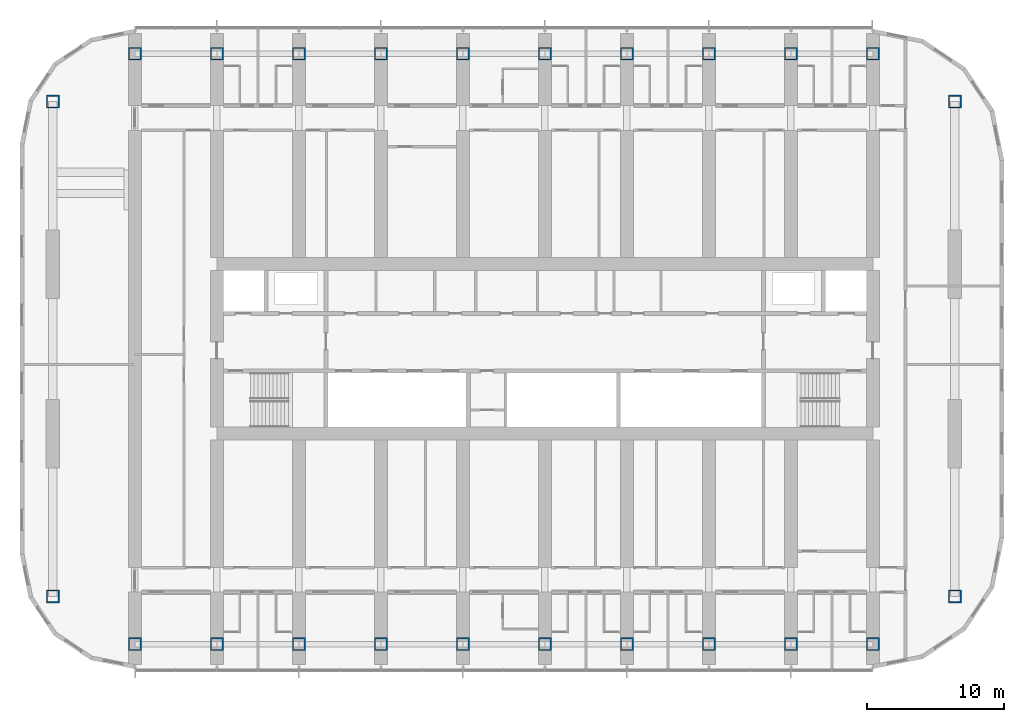
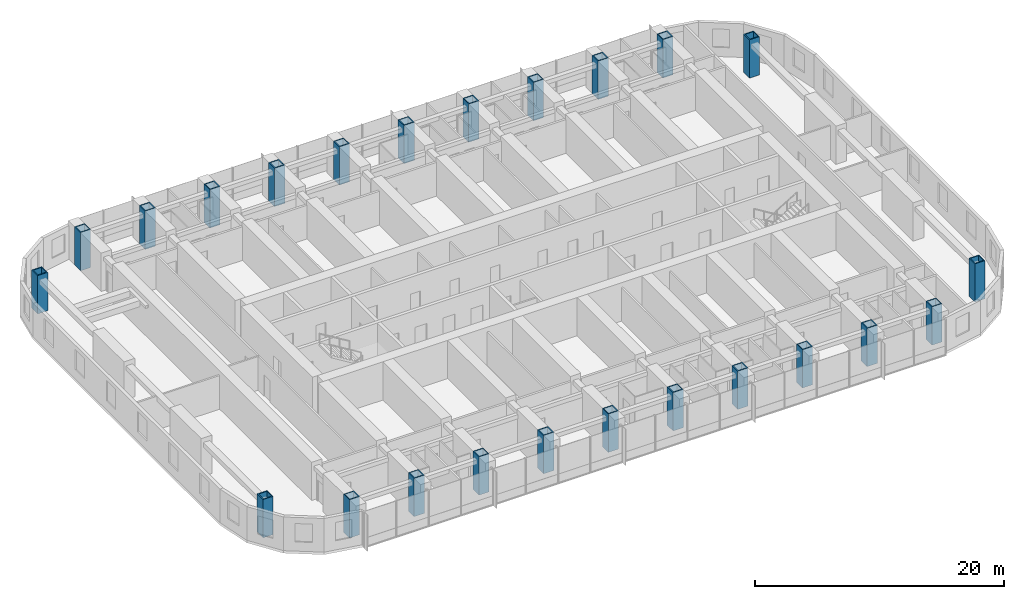
# One storey, part 1 of 21: 24 columns.
"""IFC4 building model written with IfcOpenShell, lengths in metres."""

from ifc_helpers import new_model, si_unit, direction, frame, origin, origin_2d, place, context, subcontext, project, spatial, hollow_rectangle, extrude, material, material_profile, profile_set, type_object, element, save


model = new_model("IFC4")

# Units and contexts
model_context = context("Model", 3, precision=1e-05, world=origin(), true_north=direction((0.0, 1.0)))
body_context = subcontext(model_context, "Body", "Model", "MODEL_VIEW")
ifc_project = project(units=[si_unit("LENGTHUNIT", "METRE"), si_unit("AREAUNIT", "SQUARE_METRE"), si_unit("VOLUMEUNIT", "CUBIC_METRE"), si_unit("PLANEANGLEUNIT", "RADIAN"), si_unit("MASSUNIT", "GRAM", prefix="KILO")], contexts=[model_context])

# Site, building, storey
site_placement = place(None, origin())
site = spatial("IfcSite", under=ifc_project, at=site_placement, CompositionType="ELEMENT")
building_placement = place(site_placement, origin())
building = spatial("IfcBuilding", under=site, at=building_placement, Name="Orbita Commons", CompositionType="ELEMENT")
storey_placement = place(building_placement, frame((0.0, 0.0, 110.64990234375)))
storey = spatial("IfcBuildingStorey", under=building, at=storey_placement, Name="L27", CompositionType="ELEMENT", Elevation=110.64990234375)

# Columns
ifc_material = material(Name="Steel ASTM A572 Gr 50 welded plate", Category="steel")
ifc_material_profile = material_profile(ifc_material, hollow_rectangle(XDim=0.949951171875, YDim=0.949951171875, WallThickness=0.094970703125, at=origin_2d()), Name="BOX 950x950x95")
ifc_profile_set = profile_set([ifc_material_profile], Name="Steel ASTM A572 Gr 50 welded plate")
column_type = type_object("IfcColumnType", Name="Steel column BOX 950x950x95", PredefinedType="COLUMN", material=ifc_profile_set)
for number, where, z_axis, x_axis, name in (
    (1, (12.0, 10.39990234375, 0.0), (0.0, 0.0, 1.0), (1.0, 0.0, 0.0), "Column 3/B L27"),
    (2, (12.0, 53.60009765625, 0.0), (0.0, 0.0, 1.0), (1.0, 0.0, 0.0), "Column 3/E L27"),
    (3, (18.0, 10.39990234375, 0.0), (0.0, 0.0, 1.0), (1.0, 0.0, 0.0), "Column 4/B L27"),
    (4, (18.0, 53.60009765625, 0.0), (0.0, 0.0, 1.0), (1.0, 0.0, 0.0), "Column 4/E L27"),
    (5, (24.0, 10.39990234375, 0.0), (0.0, 0.0, 1.0), (1.0, 0.0, 0.0), "Column 5/B L27"),
    (6, (24.0, 53.60009765625, 0.0), (0.0, 0.0, 1.0), (1.0, 0.0, 0.0), "Column 5/E L27"),
    (7, (30.0, 10.39990234375, 0.0), (0.0, 0.0, 1.0), (1.0, 0.0, 0.0), "Column 6/B L27"),
    (8, (30.0, 53.60009765625, 0.0), (0.0, 0.0, 1.0), (1.0, 0.0, 0.0), "Column 6/E L27"),
    (9, (36.0, 10.39990234375, 0.0), (0.0, 0.0, 1.0), (1.0, 0.0, 0.0), "Column 7/B L27"),
    (10, (36.0, 53.60009765625, 0.0), (0.0, 0.0, 1.0), (1.0, 0.0, 0.0), "Column 7/E L27"),
    (11, (42.0, 10.39990234375, 0.0), (0.0, 0.0, 1.0), (1.0, 0.0, 0.0), "Column 8/B L27"),
    (12, (42.0, 53.60009765625, 0.0), (0.0, 0.0, 1.0), (1.0, 0.0, 0.0), "Column 8/E L27"),
    (13, (48.0, 10.39990234375, 0.0), (0.0, 0.0, 1.0), (1.0, 0.0, 0.0), "Column 9/B L27"),
    (14, (48.0, 53.60009765625, 0.0), (0.0, 0.0, 1.0), (1.0, 0.0, 0.0), "Column 9/E L27"),
    (15, (54.0, 10.39990234375, 0.0), (0.0, 0.0, 1.0), (1.0, 0.0, 0.0), "Column 10/B L27"),
    (16, (54.0, 53.60009765625, 0.0), (0.0, 0.0, 1.0), (1.0, 0.0, 0.0), "Column 10/E L27"),
    (17, (60.0, 10.39990234375, 0.0), (0.0, 0.0, 1.0), (1.0, 0.0, 0.0), "Column 11/B L27"),
    (18, (60.0, 53.60009765625, 0.0), (0.0, 0.0, 1.0), (1.0, 0.0, 0.0), "Column 11/E L27"),
    (19, (66.0, 10.39990234375, 0.0), (0.0, 0.0, 1.0), (1.0, 0.0, 0.0), "Column 12/B L27"),
    (20, (66.0, 53.60009765625, 0.0), (0.0, 0.0, 1.0), (1.0, 0.0, 0.0), "Column 12/E L27"),
    (21, (6.0, 13.89990234375, 0.0), (0.0, 0.0, 1.0), (1.0, 0.0, 0.0), "Column 2/13.9 L27"),
    (22, (6.0, 50.10009765625, 0.0), (0.0, 0.0, 1.0), (1.0, 0.0, 0.0), "Column 2/50.1 L27"),
    (23, (72.0, 13.89990234375, 0.0), (0.0, 0.0, 1.0), (1.0, 0.0, 0.0), "Column 13/13.9 L27"),
    (24, (72.0, 50.10009765625, 0.0), (0.0, 0.0, 1.0), (1.0, 0.0, 0.0), "Column 13/50.1 L27"),
):
    element("IfcColumn", number, at=place(storey_placement, frame(where, z_axis=z_axis, x_axis=x_axis)), inside=storey, type_object=column_type, Name=name, PredefinedType="COLUMN", context=body_context, shape_type="SweptSolid", body=[
        extrude(hollow_rectangle(XDim=0.949951171875, YDim=0.949951171875, WallThickness=0.094970703125, at=origin_2d()), origin(), (0.0, 0.0, 1.0), 3.75),
    ])

save(model, "model.ifc")
